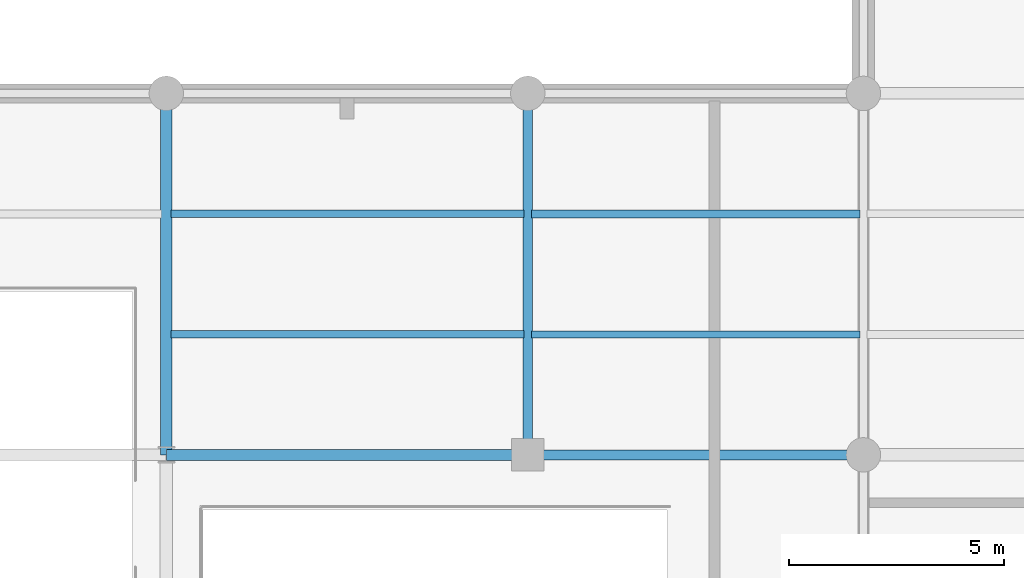
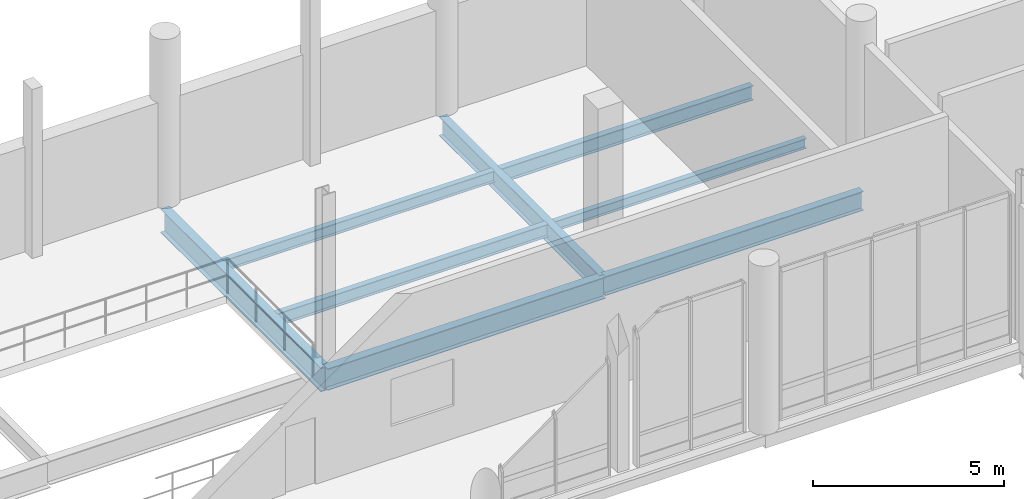
# One storey, part 57 of 128: 8 beams.
"""IFC4 building model written with IfcOpenShell, lengths in metres."""

from ifc_helpers import new_model, si_unit, direction, frame, origin_with_axes, origin_2d_with_axis, place, context, subcontext, project, spatial, i_section, extrude, material, material_profile, profile_set, type_object, element, save


model = new_model("IFC4")

# Units and contexts
model_context = context("Model", 3, precision=1e-05, world=origin_with_axes(), true_north=direction((0.0, 1.0)))
body_context = subcontext(model_context, "Body", "Model", "MODEL_VIEW")
ifc_project = project(units=[si_unit("LENGTHUNIT", "METRE"), si_unit("AREAUNIT", "SQUARE_METRE"), si_unit("VOLUMEUNIT", "CUBIC_METRE"), si_unit("PLANEANGLEUNIT", "RADIAN"), si_unit("MASSUNIT", "GRAM", prefix="KILO"), si_unit("THERMODYNAMICTEMPERATUREUNIT", "KELVIN")], contexts=[model_context])

# Site, building, storey
site_placement = place(None, origin_with_axes())
site = spatial("IfcSite", under=ifc_project, at=site_placement, CompositionType="ELEMENT")
building_placement = place(site_placement, origin_with_axes())
building = spatial("IfcBuilding", under=site, at=building_placement, Name="Montbau Bow Law Courts", CompositionType="ELEMENT")
storey_placement = place(building_placement, frame((0.0, 0.0, 5.4), z_axis=(0.0, 0.0, 1.0), x_axis=(1.0, 0.0, 0.0)))
storey = spatial("IfcBuildingStorey", under=building, at=storey_placement, Name="L01", CompositionType="ELEMENT", Elevation=5.4)

# Beams
ifc_material = material(Name="Steel CSA G40.21 Grade 350W (350 MPa)", Category="steel")
ifc_material_profile_1 = material_profile(ifc_material, i_section(OverallWidth=0.267, OverallDepth=0.766, WebThickness=0.0149, FlangeThickness=0.0236, at=origin_2d_with_axis()), Name="W760X185", Category="Main", Priority=0)
ifc_profile_set_1 = profile_set([ifc_material_profile_1], Name="Steel CSA G40.21 Grade 350W (350 MPa)")
beam_type_1 = type_object("IfcBeamType", Name="B-FLR-03", PredefinedType="BEAM", material=ifc_profile_set_1)
beam_1_placement = place(None, frame((105.6, 30.6, 4.777), z_axis=(0.0, 1.0, 0.0), x_axis=(-1.0, 0.0, 0.0)))
element("IfcBeam", 1, at=beam_1_placement, inside=storey, type_object=beam_type_1, Name="BM-L01-S1094:bm2_1097", PredefinedType="BEAM", context=body_context, shape_type="SweptSolid", body=[
    extrude(i_section(OverallWidth=0.267, OverallDepth=0.766, WebThickness=0.0149, FlangeThickness=0.0236, at=origin_2d_with_axis()), origin_with_axes(), (0.0, 0.0, 1.0), 8.4),
])
ifc_material_profile_2 = material_profile(ifc_material, i_section(OverallWidth=0.254, OverallDepth=0.688, WebThickness=0.0131, FlangeThickness=0.0211, at=origin_2d_with_axis()), Name="W690X152", Category="Main", Priority=0)
ifc_profile_set_2 = profile_set([ifc_material_profile_2], Name="Steel CSA G40.21 Grade 350W (350 MPa)")
beam_type_2 = type_object("IfcBeamType", Name="B-FLR-04", PredefinedType="BEAM", material=ifc_profile_set_2)
beam_2_placement = place(None, frame((105.6, 30.6, 4.816), z_axis=(1.0, 0.0, 0.0), x_axis=(0.0, 1.0, 0.0)))
element("IfcBeam", 2, at=beam_2_placement, inside=storey, type_object=beam_type_2, Name="BM-L01-S1077:bm2_1080", PredefinedType="BEAM", context=body_context, shape_type="SweptSolid", body=[
    extrude(i_section(OverallWidth=0.254, OverallDepth=0.688, WebThickness=0.0131, FlangeThickness=0.0211, at=origin_2d_with_axis()), origin_with_axes(), (0.0, 0.0, 1.0), 8.4),
])
ifc_material_profile_3 = material_profile(ifc_material, i_section(OverallWidth=0.229, OverallDepth=0.612, WebThickness=0.0119, FlangeThickness=0.0196, at=origin_2d_with_axis()), Name="W610X125", Category="Main", Priority=0)
ifc_profile_set_3 = profile_set([ifc_material_profile_3], Name="Steel CSA G40.21 Grade 350W (350 MPa)")
beam_type_3 = type_object("IfcBeamType", Name="B-FLR-05", PredefinedType="BEAM", material=ifc_profile_set_3)
beam_3_placement = place(None, frame((114.0, 30.6, 4.854), z_axis=(1.0, 0.0, 0.0), x_axis=(0.0, 1.0, 0.0)))
element("IfcBeam", 3, at=beam_3_placement, inside=storey, type_object=beam_type_3, Name="BM-L01-S1078:bm2_1081", PredefinedType="BEAM", context=body_context, shape_type="SweptSolid", body=[
    extrude(i_section(OverallWidth=0.229, OverallDepth=0.612, WebThickness=0.0119, FlangeThickness=0.0196, at=origin_2d_with_axis()), origin_with_axes(), (0.0, 0.0, 1.0), 7.8),
])
beam_4_placement = place(None, frame((114.0, 30.6, 4.854), z_axis=(0.0, 1.0, 0.0), x_axis=(-1.0, 0.0, 0.0)))
element("IfcBeam", 4, at=beam_4_placement, inside=storey, type_object=beam_type_3, Name="BM-L01-S1095:bm2_1098", PredefinedType="BEAM", context=body_context, shape_type="SweptSolid", body=[
    extrude(i_section(OverallWidth=0.229, OverallDepth=0.612, WebThickness=0.0119, FlangeThickness=0.0196, at=origin_2d_with_axis()), origin_with_axes(), (0.0, 0.0, 1.0), 8.4),
])
ifc_material_profile_4 = material_profile(ifc_material, i_section(OverallWidth=0.191, OverallDepth=0.46, WebThickness=0.0099, FlangeThickness=0.016, at=origin_2d_with_axis()), Name="W460X82", Category="Main", Priority=0)
ifc_profile_set_4 = profile_set([ifc_material_profile_4], Name="Steel CSA G40.21 Grade 350W (350 MPa)")
beam_type_4 = type_object("IfcBeamType", Name="B-JST-01", PredefinedType="JOIST", material=ifc_profile_set_4)
beam_5_placement = place(None, frame((114.091, 36.2, 4.93), z_axis=(1.0, 0.0, 0.0), x_axis=(0.0, 1.0, 0.0)))
element("IfcBeam", 5, at=beam_5_placement, inside=storey, type_object=beam_type_4, Name="JST-L01-S0560:jst2_0560", PredefinedType="JOIST", context=body_context, shape_type="SweptSolid", body=[
    extrude(i_section(OverallWidth=0.191, OverallDepth=0.46, WebThickness=0.0099, FlangeThickness=0.016, at=origin_2d_with_axis()), origin_with_axes(), (0.0, 0.0, 1.0), 7.629),
])
ifc_material_profile_5 = material_profile(ifc_material, i_section(OverallWidth=0.179, OverallDepth=0.41, WebThickness=0.0088, FlangeThickness=0.0144, at=origin_2d_with_axis()), Name="W410X67", Category="Main", Priority=0)
ifc_profile_set_5 = profile_set([ifc_material_profile_5], Name="Steel CSA G40.21 Grade 350W (350 MPa)")
beam_type_5 = type_object("IfcBeamType", Name="B-JST-02", PredefinedType="JOIST", material=ifc_profile_set_5)
beam_6_placement = place(None, frame((105.709, 33.4, 4.955), z_axis=(1.0, 0.0, 0.0), x_axis=(0.0, 1.0, 0.0)))
element("IfcBeam", 6, at=beam_6_placement, inside=storey, type_object=beam_type_5, Name="JST-L01-S0557:jst2_0557", PredefinedType="JOIST", context=body_context, shape_type="SweptSolid", body=[
    extrude(i_section(OverallWidth=0.179, OverallDepth=0.41, WebThickness=0.0088, FlangeThickness=0.0144, at=origin_2d_with_axis()), origin_with_axes(), (0.0, 0.0, 1.0), 8.2),
])
ifc_material_profile_6 = material_profile(ifc_material, i_section(OverallWidth=0.172, OverallDepth=0.358, WebThickness=0.0079, FlangeThickness=0.0131, at=origin_2d_with_axis()), Name="W360X57", Category="Main", Priority=0)
ifc_profile_set_6 = profile_set([ifc_material_profile_6], Name="Steel CSA G40.21 Grade 350W (350 MPa)")
beam_type_6 = type_object("IfcBeamType", Name="B-JST-03", PredefinedType="JOIST", material=ifc_profile_set_6)
beam_7_placement = place(None, frame((105.709, 36.2, 4.981), z_axis=(1.0, 0.0, 0.0), x_axis=(0.0, 1.0, 0.0)))
element("IfcBeam", 7, at=beam_7_placement, inside=storey, type_object=beam_type_6, Name="JST-L01-S0558:jst2_0558", PredefinedType="JOIST", context=body_context, shape_type="SweptSolid", body=[
    extrude(i_section(OverallWidth=0.172, OverallDepth=0.358, WebThickness=0.0079, FlangeThickness=0.0131, at=origin_2d_with_axis()), origin_with_axes(), (0.0, 0.0, 1.0), 8.2),
])
ifc_material_profile_7 = material_profile(ifc_material, i_section(OverallWidth=0.166, OverallDepth=0.313, WebThickness=0.0066, FlangeThickness=0.0112, at=origin_2d_with_axis()), Name="W310X45", Category="Main", Priority=0)
ifc_profile_set_7 = profile_set([ifc_material_profile_7], Name="Steel CSA G40.21 Grade 350W (350 MPa)")
beam_type_7 = type_object("IfcBeamType", Name="B-JST-04", PredefinedType="JOIST", material=ifc_profile_set_7)
beam_8_placement = place(None, frame((114.091, 33.4, 5.003), z_axis=(1.0, 0.0, 0.0), x_axis=(0.0, 1.0, 0.0)))
element("IfcBeam", 8, at=beam_8_placement, inside=storey, type_object=beam_type_7, Name="JST-L01-S0559:jst2_0559", PredefinedType="JOIST", context=body_context, shape_type="SweptSolid", body=[
    extrude(i_section(OverallWidth=0.166, OverallDepth=0.313, WebThickness=0.0066, FlangeThickness=0.0112, at=origin_2d_with_axis()), origin_with_axes(), (0.0, 0.0, 1.0), 7.629),
])

save(model, "model.ifc")
